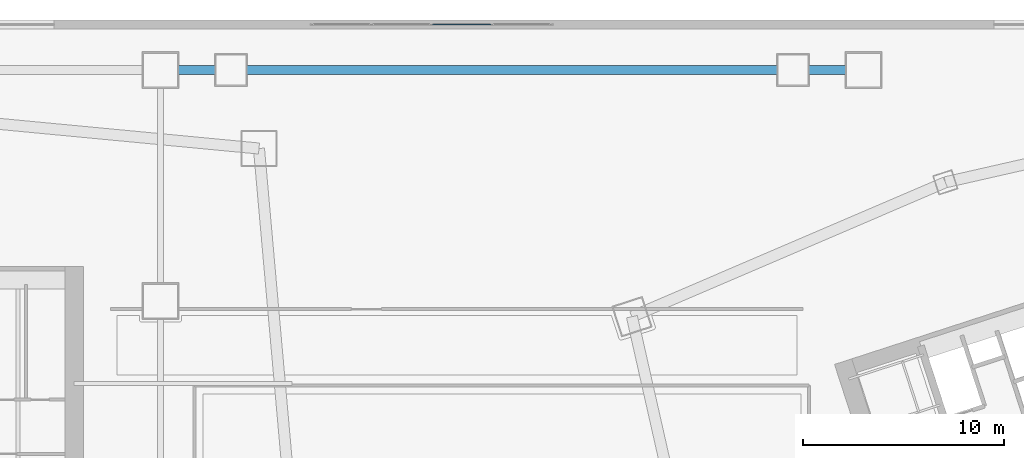
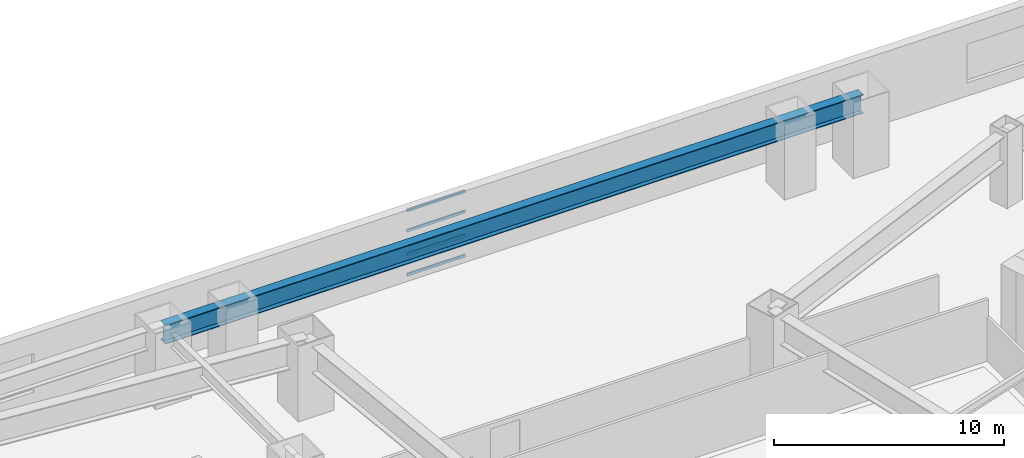
# One storey, part 10 of 25: 4 members, 1 beam, 1 element without a shape of its own.
"""IFC4 building model written with IfcOpenShell, lengths in metres."""

from ifc_helpers import new_model, si_unit, direction, frame, origin, origin_2d, place, context, subcontext, project, spatial, hollow_rectangle, i_section, extrude, material, layer, layer_set, material_profile, profile_set, type_object, element, aggregate, save


model = new_model("IFC4")

# Units and contexts
model_context = context("Model", 3, precision=1e-05, world=origin(), true_north=direction((0.0, 1.0)))
body_context = subcontext(model_context, "Body", "Model", "MODEL_VIEW")
ifc_project = project(units=[si_unit("LENGTHUNIT", "METRE"), si_unit("AREAUNIT", "SQUARE_METRE"), si_unit("VOLUMEUNIT", "CUBIC_METRE"), si_unit("PLANEANGLEUNIT", "RADIAN"), si_unit("MASSUNIT", "GRAM", prefix="KILO")], contexts=[model_context])

# Site, building, storey
site_placement = place(None, origin())
site = spatial("IfcSite", under=ifc_project, at=site_placement, CompositionType="ELEMENT")
building_placement = place(site_placement, origin())
building = spatial("IfcBuilding", under=site, at=building_placement, Name="Qiaolan Cultural Towers", CompositionType="ELEMENT")
storey_placement = place(building_placement, frame((0.0, 0.0, 22.0)))
storey = spatial("IfcBuildingStorey", under=building, at=storey_placement, Name="L04", CompositionType="ELEMENT", Elevation=22.0)

# Beam
ifc_material_1 = material(Name="Steel Q390GJB", Category="steel")
ifc_material_profile_1 = material_profile(ifc_material_1, i_section(OverallWidth=0.449951171875, OverallDepth=1.0, WebThickness=0.02392578125, FlangeThickness=0.0400390625, at=origin_2d()), Name="BH1000x450x24x40")
ifc_profile_set_1 = profile_set([ifc_material_profile_1], Name="Steel Q390GJB")
beam_type = type_object("IfcBeamType", Name="BM-BH1000x450x24x40", PredefinedType="BEAM", material=ifc_profile_set_1)
beam_placement = place(storey_placement, frame((42.5, 65.5, 3.25), z_axis=(1.0, 0.0, 0.0), x_axis=(0.0, 1.0, 0.0)))
element("IfcBeam", 1, at=beam_placement, inside=storey, type_object=beam_type, Name="L04 Podium Primary Girder Y=65.5", PredefinedType="BEAM", context=body_context, shape_type="SweptSolid", body=[
    extrude(i_section(OverallWidth=0.449951171875, OverallDepth=1.0, WebThickness=0.02392578125, FlangeThickness=0.0400390625, at=origin_2d()), origin(), (0.0, 0.0, 1.0), 35.0),
])

# Curtain wall, members
ifc_material_2 = material(Name="Unitized Anodized Aluminium Curtain Wall System", Category="aluminium")
ifc_layer = layer(ifc_material_2, 0.199951171875)
ifc_layer_set = layer_set([ifc_layer], Name="Unitized Anodized Aluminium Curtain Wall System")
curtain_wall_type = type_object("IfcCurtainWallType", Name="CWS-01", PredefinedType="NOTDEFINED", material=ifc_layer_set)
curtain_wall_placement = place(storey_placement, origin())
curtain_wall = element("IfcCurtainWall", 2, at=curtain_wall_placement, inside=storey, type_object=curtain_wall_type, Name="L04 North Atrium Curtain Wall", PredefinedType="NOTDEFINED")
ifc_material_3 = material(Name="Extruded Aluminium 6063-T6", Category="aluminium")
ifc_material_profile_2 = material_profile(ifc_material_3, hollow_rectangle(XDim=0.06494140625, YDim=0.14990234375, WallThickness=0.00390625, at=origin_2d()), Name="CWT-150x65x4")
ifc_profile_set_2 = profile_set([ifc_material_profile_2], Name="Extruded Aluminium 6063-T6")
member_type = type_object("IfcMemberType", Name="CWS-01-TRN", PredefinedType="USERDEFINED", material=ifc_profile_set_2)
member_1_placement = place(storey_placement, frame((56.03759765625, 67.780029296875, 0.1826171875), z_axis=(1.0, 0.0, 0.0), x_axis=(0.0, 1.0, 0.0)))
member_1 = element("IfcMember", 3, at=member_1_placement, type_object=member_type, Name="CW-1 transom 3.1", ObjectType="TRANSOM", PredefinedType="USERDEFINED", context=body_context, shape_type="SweptSolid", body=[
    extrude(hollow_rectangle(XDim=0.06494140625, YDim=0.14990234375, WallThickness=0.00390625, at=origin_2d()), origin(), (0.0, 0.0, 1.0), 2.9248046875),
])
member_2_placement = place(storey_placement, frame((56.03759765625, 67.780029296875, 1.260009765625), z_axis=(1.0, 0.0, 0.0), x_axis=(0.0, 1.0, 0.0)))
member_2 = element("IfcMember", 4, at=member_2_placement, type_object=member_type, Name="CW-1 transom 3.2", ObjectType="TRANSOM", PredefinedType="USERDEFINED", context=body_context, shape_type="SweptSolid", body=[
    extrude(hollow_rectangle(XDim=0.06494140625, YDim=0.14990234375, WallThickness=0.00390625, at=origin_2d()), origin(), (0.0, 0.0, 1.0), 2.9248046875),
])
member_3_placement = place(storey_placement, frame((56.03759765625, 67.780029296875, 2.52001953125), z_axis=(1.0, 0.0, 0.0), x_axis=(0.0, 1.0, 0.0)))
member_3 = element("IfcMember", 5, at=member_3_placement, type_object=member_type, Name="CW-1 transom 3.3", ObjectType="TRANSOM", PredefinedType="USERDEFINED", context=body_context, shape_type="SweptSolid", body=[
    extrude(hollow_rectangle(XDim=0.06494140625, YDim=0.14990234375, WallThickness=0.00390625, at=origin_2d()), origin(), (0.0, 0.0, 1.0), 2.9248046875),
])
member_4_placement = place(storey_placement, frame((56.03759765625, 67.780029296875, 3.597412109375), z_axis=(1.0, 0.0, 0.0), x_axis=(0.0, 1.0, 0.0)))
member_4 = element("IfcMember", 6, at=member_4_placement, type_object=member_type, Name="CW-1 transom 3.4", ObjectType="TRANSOM", PredefinedType="USERDEFINED", context=body_context, shape_type="SweptSolid", body=[
    extrude(hollow_rectangle(XDim=0.06494140625, YDim=0.14990234375, WallThickness=0.00390625, at=origin_2d()), origin(), (0.0, 0.0, 1.0), 2.9248046875),
])
aggregate(curtain_wall, [member_1, member_2, member_3, member_4])

save(model, "model.ifc")
